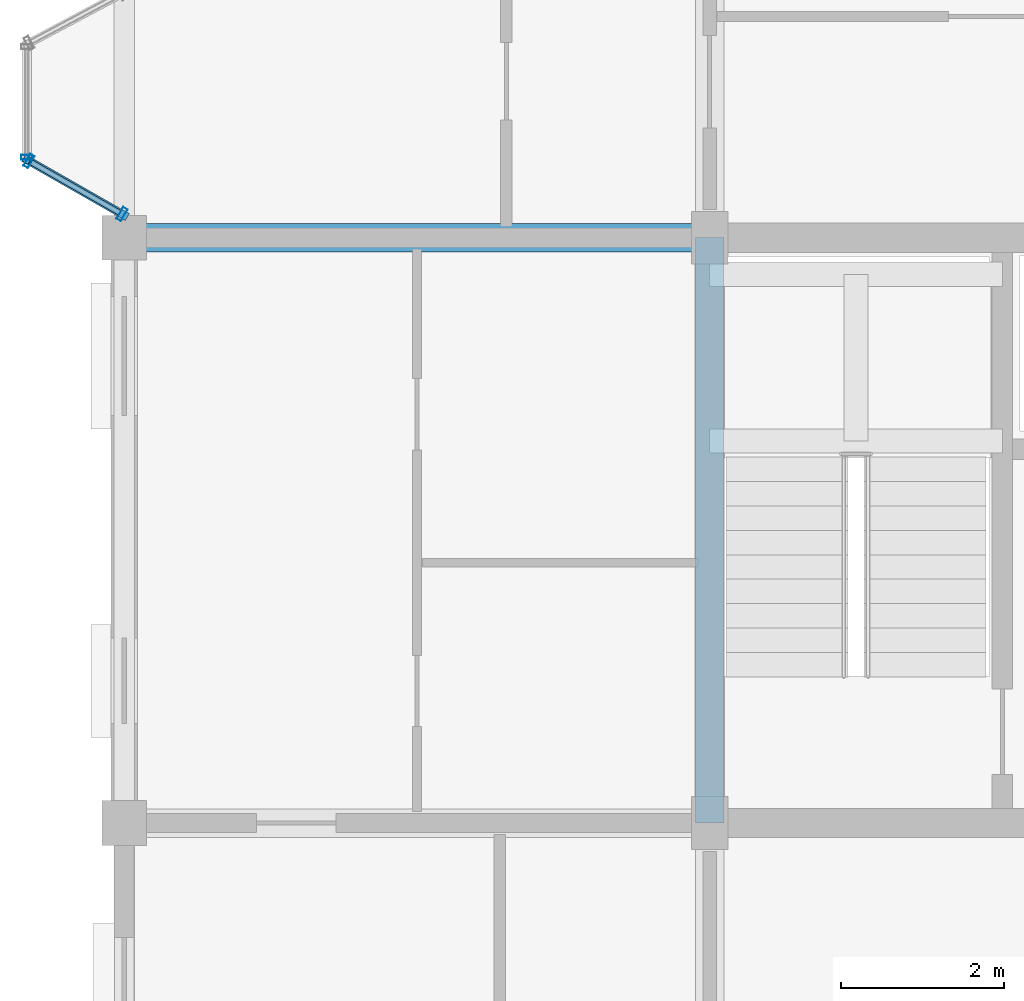
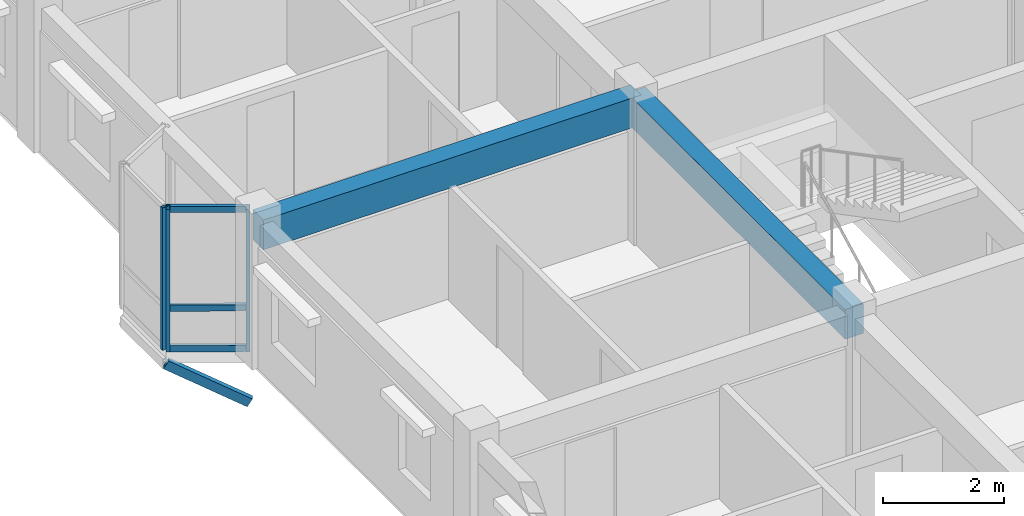
# One storey, part 4 of 75: 7 members, 2 beams, 2 elements without a shape of their own.
"""IFC4 building model written with IfcOpenShell, lengths in metres."""

from ifc_helpers import new_model, si_unit, direction, frame, origin, origin_2d, place, context, subcontext, project, spatial, rectangle, hollow_rectangle, extrude, material, layer, layer_set, material_profile, profile_set, type_object, element, aggregate, save


model = new_model("IFC4")

# Units and contexts
model_context = context("Model", 3, precision=1e-05, world=origin(), true_north=direction((0.0, 1.0)))
body_context = subcontext(model_context, "Body", "Model", "MODEL_VIEW")
ifc_project = project(units=[si_unit("LENGTHUNIT", "METRE"), si_unit("AREAUNIT", "SQUARE_METRE"), si_unit("VOLUMEUNIT", "CUBIC_METRE"), si_unit("PLANEANGLEUNIT", "RADIAN"), si_unit("MASSUNIT", "GRAM", prefix="KILO"), si_unit("THERMODYNAMICTEMPERATUREUNIT", "KELVIN"), si_unit("POWERUNIT", "WATT")], contexts=[model_context])

# Site, building, storey
site_placement = place(None, origin())
site = spatial("IfcSite", under=ifc_project, at=site_placement, CompositionType="ELEMENT")
building_placement = place(site_placement, origin())
building = spatial("IfcBuilding", under=site, at=building_placement, Name="Tavuni Mirador Residences", CompositionType="ELEMENT")
storey_placement = place(building_placement, frame((0.0, 0.0, 20.25)))
storey = spatial("IfcBuildingStorey", under=building, at=storey_placement, Name="L06", CompositionType="ELEMENT", Elevation=20.25)

# Beams
ifc_material_1 = material(Name="Precast concrete C40/50", Category="concrete")
ifc_material_profile_1 = material_profile(ifc_material_1, rectangle(XDim=0.35009765625, YDim=0.60009765625, at=origin_2d()), Name="PC 350x600", Category="concrete")
ifc_profile_set_1 = profile_set([ifc_material_profile_1], Name="Precast concrete C40/50")
beam_type = type_object("IfcBeamType", Name="BT-B600", PredefinedType="BEAM", material=ifc_profile_set_1)
beam_1_placement = place(storey_placement, frame((3.60009765625, 21.60009765625, 2.570068359375), z_axis=(1.0, 0.0, 0.0), x_axis=(0.0, 1.0, 0.0)))
element("IfcBeam", 1, at=beam_1_placement, inside=storey, type_object=beam_type, Name="BMX-BLK-A-L06-00-02", PredefinedType="BEAM", context=body_context, shape_type="SweptSolid", body=[
    extrude(rectangle(XDim=0.35009765625, YDim=0.60009765625, at=origin_2d()), origin(), (0.0, 0.0, 1.0), 7.199951171875),
])
beam_2_placement = place(storey_placement, frame((10.800048828125, 14.39990234375, 2.570068359375), z_axis=(0.0, 1.0, 0.0), x_axis=(-1.0, 0.0, 0.0)))
element("IfcBeam", 2, at=beam_2_placement, inside=storey, type_object=beam_type, Name="BMY-BLK-A-L06-01-01", PredefinedType="BEAM", context=body_context, shape_type="SweptSolid", body=[
    extrude(rectangle(XDim=0.35009765625, YDim=0.60009765625, at=origin_2d()), origin(), (0.0, 0.0, 1.0), 7.2001953125),
])

# Curtain wall, member
ifc_material_2 = material(Name="Anodised aluminium", Category="aluminium")
ifc_layer_1 = layer(ifc_material_2, 0.1650390625, Name="Anodised aluminium", Category="aluminium")
ifc_layer_set_1 = layer_set([ifc_layer_1], Name="Anodised aluminium")
curtain_wall_type_1 = type_object("IfcCurtainWallType", Name="CWT-MIR-A", PredefinedType="NOTDEFINED", material=ifc_layer_set_1)
curtain_wall_1_placement = place(storey_placement, origin())
curtain_wall_1 = element("IfcCurtainWall", 3, at=curtain_wall_1_placement, inside=storey, type_object=curtain_wall_type_1, Name="CW-MIR-A-W2-L06-MF", PredefinedType="NOTDEFINED")
ifc_material_profile_2 = material_profile(ifc_material_2, hollow_rectangle(XDim=0.06005859375, YDim=0.139892578125, WallThickness=0.00390625, at=origin_2d()), Name="ALU 60x140x4.0", Category="aluminium")
ifc_profile_set_2 = profile_set([ifc_material_profile_2], Name="Anodised aluminium")
member_type_1 = type_object("IfcMemberType", Name="CWM-140", PredefinedType="MULLION", material=ifc_profile_set_2)
member_1_placement = place(storey_placement, frame((2.39990234375, 22.590087890625, 0.0), z_axis=(0.0, 0.0, 1.0), x_axis=(0.0, -1.0, 0.0)))
member_1 = element("IfcMember", 4, at=member_1_placement, type_object=member_type_1, Name="CW-01 mullion 2", PredefinedType="MULLION", context=body_context, shape_type="SweptSolid", body=[
    extrude(hollow_rectangle(XDim=0.06005859375, YDim=0.139892578125, WallThickness=0.00390625, at=origin_2d()), origin(), (0.0, 0.0, 1.0), 2.8701171875),
])
aggregate(curtain_wall_1, [member_1])

# Curtain wall, members
ifc_layer_2 = layer(ifc_material_2, 0.14990234375, Name="Anodised aluminium", Category="aluminium")
ifc_layer_set_2 = layer_set([ifc_layer_2], Name="Anodised aluminium")
curtain_wall_type_2 = type_object("IfcCurtainWallType", Name="CWT-MIR-B", PredefinedType="NOTDEFINED", material=ifc_layer_set_2)
curtain_wall_2_placement = place(storey_placement, origin())
curtain_wall_2 = element("IfcCurtainWall", 5, at=curtain_wall_2_placement, inside=storey, type_object=curtain_wall_type_2, Name="CW-MIR-A-W2-L06-M2", PredefinedType="NOTDEFINED")
ifc_material_profile_3 = material_profile(ifc_material_2, hollow_rectangle(XDim=0.06494140625, YDim=0.1650390625, WallThickness=0.00439453125, at=origin_2d()), Name="ALU 65x165x4.5", Category="aluminium")
ifc_profile_set_3 = profile_set([ifc_material_profile_3], Name="Anodised aluminium")
member_type_2 = type_object("IfcMemberType", Name="CWM-165", PredefinedType="MULLION", material=ifc_profile_set_3)
member_2_placement = place(storey_placement, frame((2.42822265625, 22.5439453125, 0.0), z_axis=(0.0, 0.0, 1.0), x_axis=(0.868465738194, -0.495749192217, 0.0)))
member_2 = element("IfcMember", 6, at=member_2_placement, type_object=member_type_2, Name="CW-02 mullion 1", PredefinedType="MULLION", context=body_context, shape_type="SweptSolid", body=[
    extrude(hollow_rectangle(XDim=0.06494140625, YDim=0.1650390625, WallThickness=0.00439453125, at=origin_2d()), origin(), (0.0, 0.0, 1.0), 2.8701171875),
])
member_3_placement = place(storey_placement, frame((3.57177734375, 21.89111328125, 0.0), z_axis=(0.0, 0.0, 1.0), x_axis=(0.868465738194, -0.495749192217, 0.0)))
member_3 = element("IfcMember", 7, at=member_3_placement, type_object=member_type_2, Name="CW-02 mullion 2", PredefinedType="MULLION", context=body_context, shape_type="SweptSolid", body=[
    extrude(hollow_rectangle(XDim=0.06494140625, YDim=0.1650390625, WallThickness=0.00439453125, at=origin_2d()), origin(), (0.0, 0.0, 1.0), 2.8701171875),
])
ifc_material_profile_4 = material_profile(ifc_material_2, hollow_rectangle(XDim=0.06494140625, YDim=0.125, WallThickness=0.00439453125, at=origin_2d()), Name="ALU 65x125x4.5", Category="aluminium")
ifc_profile_set_4 = profile_set([ifc_material_profile_4], Name="Anodised aluminium")
member_type_3 = type_object("IfcMemberType", Name="CWT-125", PredefinedType="USERDEFINED", material=ifc_profile_set_4)
member_4_placement = place(storey_placement, frame((2.45654296875, 22.52783203125, 0.032470703125), z_axis=(0.868411144788, -0.495844818071, 0.0), x_axis=(0.495844818071, 0.868411144788, 0.0)))
member_4 = element("IfcMember", 8, at=member_4_placement, type_object=member_type_3, Name="CW-02 transom 1.1", ObjectType="TRANSOM", PredefinedType="USERDEFINED", context=body_context, shape_type="SweptSolid", body=[
    extrude(hollow_rectangle(XDim=0.06494140625, YDim=0.125, WallThickness=0.00439453125, at=origin_2d()), origin(), (0.0, 0.0, 1.0), 1.251708984375),
])
member_5_placement = place(storey_placement, frame((2.45654296875, 22.52783203125, 0.85009765625), z_axis=(0.868411144788, -0.495844818071, 0.0), x_axis=(0.495844818071, 0.868411144788, 0.0)))
member_5 = element("IfcMember", 9, at=member_5_placement, type_object=member_type_3, Name="CW-02 transom 1.2", ObjectType="TRANSOM", PredefinedType="USERDEFINED", context=body_context, shape_type="SweptSolid", body=[
    extrude(hollow_rectangle(XDim=0.06494140625, YDim=0.125, WallThickness=0.00439453125, at=origin_2d()), origin(), (0.0, 0.0, 1.0), 1.251708984375),
])
member_6_placement = place(storey_placement, frame((2.45654296875, 22.52783203125, 2.83740234375), z_axis=(0.868411144788, -0.495844818071, 0.0), x_axis=(0.495844818071, 0.868411144788, 0.0)))
member_6 = element("IfcMember", 10, at=member_6_placement, type_object=member_type_3, Name="CW-02 transom 1.3", ObjectType="TRANSOM", PredefinedType="USERDEFINED", context=body_context, shape_type="SweptSolid", body=[
    extrude(hollow_rectangle(XDim=0.06494140625, YDim=0.125, WallThickness=0.00439453125, at=origin_2d()), origin(), (0.0, 0.0, 1.0), 1.251708984375),
])
aggregate(curtain_wall_2, [member_2, member_3, member_4, member_5, member_6])

# Member
ifc_material_3 = material(Name="Structural steel S355", Category="steel")
ifc_material_profile_5 = material_profile(ifc_material_3, hollow_rectangle(XDim=0.10009765625, YDim=0.179931640625, WallThickness=0.008056640625, at=origin_2d()), Name="RHS 180x100x8.0", Category="steel")
ifc_profile_set_5 = profile_set([ifc_material_profile_5], Name="Structural steel S355")
member_type_4 = type_object("IfcMemberType", Name="MT-BR-RHS180", PredefinedType="BRACE", material=ifc_profile_set_5)
member_7_placement = place(storey_placement, frame((3.60009765625, 21.875, -1.050048828125), z_axis=(-0.758659970715, 0.433034962942, 0.486739940528), x_axis=(-0.495720321961, -0.868482217662, 0.0)))
element("IfcMember", 11, at=member_7_placement, inside=storey, type_object=member_type_4, Name="MBRK-MIR-A-W2-L06-1", PredefinedType="BRACE", context=body_context, shape_type="SweptSolid", body=[
    extrude(hollow_rectangle(XDim=0.10009765625, YDim=0.179931640625, WallThickness=0.008056640625, at=origin_2d()), origin(), (0.0, 0.0, 1.0), 1.58203125),
])

save(model, "model.ifc")
